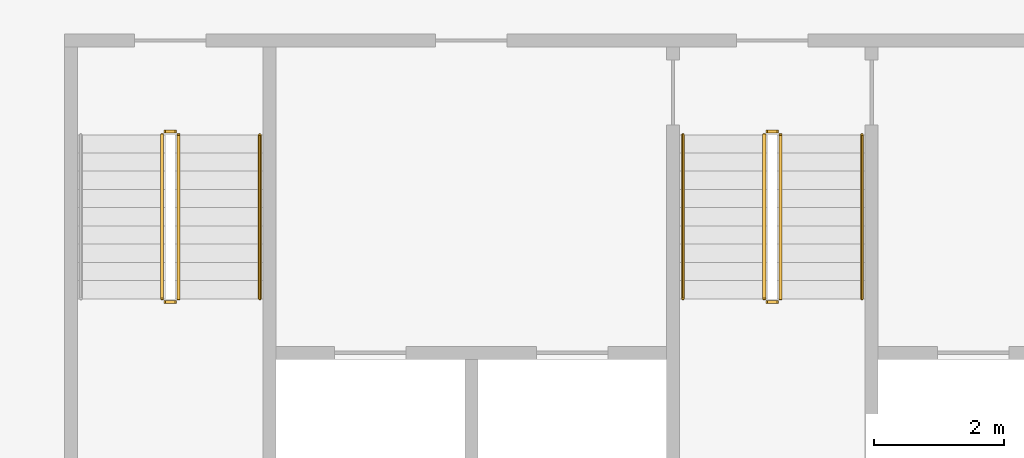
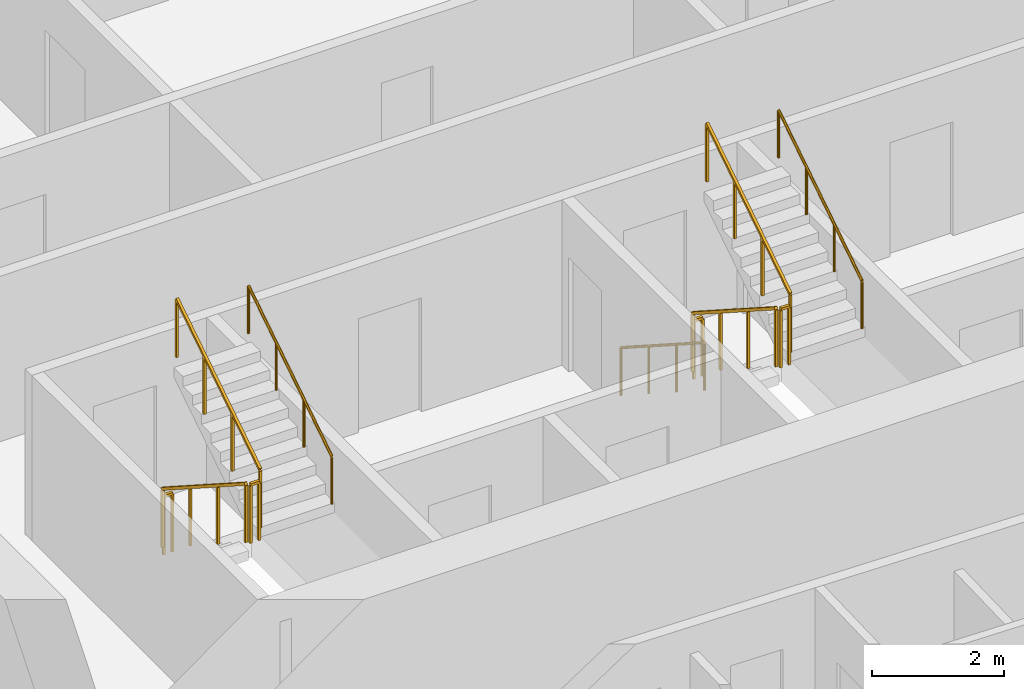
# One storey, part 14 of 16: 11 railings.
"""IFC4 building model written with IfcOpenShell, lengths in metres."""

from ifc_helpers import new_model, si_unit, direction, frame, origin, origin_2d, place, context, subcontext, project, spatial, rectangle, circle, extrude, material, type_object, element, save


model = new_model("IFC4")

# Units and contexts
model_context = context("Model", 3, precision=1e-05, world=origin(), true_north=direction((0.0, 1.0)))
body_context = subcontext(model_context, "Body", "Model", "MODEL_VIEW")
ifc_project = project(units=[si_unit("LENGTHUNIT", "METRE"), si_unit("AREAUNIT", "SQUARE_METRE"), si_unit("VOLUMEUNIT", "CUBIC_METRE"), si_unit("PLANEANGLEUNIT", "RADIAN"), si_unit("MASSUNIT", "GRAM", prefix="KILO")], contexts=[model_context])

# Site, building, storey
site_placement = place(None, origin())
site = spatial("IfcSite", under=ifc_project, at=site_placement, CompositionType="ELEMENT")
building_placement = place(site_placement, origin())
building = spatial("IfcBuilding", under=site, at=building_placement, Name="Mangrove Gate Tower", CompositionType="ELEMENT")
storey_placement = place(building_placement, frame((0.0, 0.0, 212.300048828125)))
storey = spatial("IfcBuildingStorey", under=building, at=storey_placement, Name="L54", CompositionType="ELEMENT", Elevation=212.300048828125)

# Railings
ifc_material_1 = material(Name="Stainless steel 316", Category="steel")
railing_type_1 = type_object("IfcRailingType", Name="Core stair guard 1100", PredefinedType="GUARDRAIL", material=ifc_material_1)
railing_1_placement = place(storey_placement, frame((-9.39990234375, -4.64990234375, 0.179931640625)))
element("IfcRailing", 1, at=railing_1_placement, inside=storey, type_object=railing_type_1, Name="L54 ST1 stair guard 1", PredefinedType="GUARDRAIL", context=body_context, shape_type="SweptSolid", body=[
    extrude(rectangle(XDim=0.048095703125, YDim=0.048095703125, at=origin_2d()), frame((0.0, 0.0, 1.076171875), z_axis=(0.0, -0.841162588446, 0.540782303519), x_axis=(1.0, 0.0, 0.0)), (0.0, 0.0, 1.0), 2.995849609375),
    extrude(rectangle(XDim=0.0419921875, YDim=0.0419921875, at=origin_2d()), origin(), (0.0, 0.0, 1.0), 1.052001953125),
    extrude(rectangle(XDim=0.0419921875, YDim=0.0419921875, at=origin_2d()), frame((0.0, -0.840087890625, 0.5400390625)), (0.0, 0.0, 1.0), 1.052001953125),
    extrude(rectangle(XDim=0.0419921875, YDim=0.0419921875, at=origin_2d()), frame((0.0, -1.679931640625, 1.080078125)), (0.0, 0.0, 1.0), 1.052001953125),
    extrude(rectangle(XDim=0.0419921875, YDim=0.0419921875, at=origin_2d()), frame((0.0, -2.52001953125, 1.6201171875)), (0.0, 0.0, 1.0), 1.052001953125),
])
railing_2_placement = place(storey_placement, frame((-9.35009765625, -7.219970703125, 1.800048828125)))
element("IfcRailing", 2, at=railing_2_placement, inside=storey, type_object=railing_type_1, Name="L54 ST1 stair guard 2", PredefinedType="GUARDRAIL", context=body_context, shape_type="SweptSolid", body=[
    extrude(rectangle(XDim=0.048095703125, YDim=0.048095703125, at=origin_2d()), frame((0.0, 0.0, 1.076171875), z_axis=(1.0, 0.0, 0.0), x_axis=(0.0, 1.0, 0.0)), (0.0, 0.0, 1.0), 0.150146484375),
    extrude(rectangle(XDim=0.0419921875, YDim=0.0419921875, at=origin_2d()), origin(), (0.0, 0.0, 1.0), 1.052001953125),
    extrude(rectangle(XDim=0.0419921875, YDim=0.0419921875, at=origin_2d()), frame((0.150146484375, 0.0, 0.0)), (0.0, 0.0, 1.0), 1.052001953125),
])
railing_3_placement = place(storey_placement, frame((-9.14990234375, -7.169921875, 1.97998046875)))
element("IfcRailing", 3, at=railing_3_placement, inside=storey, type_object=railing_type_1, Name="L54 ST1 stair guard 3", PredefinedType="GUARDRAIL", context=body_context, shape_type="SweptSolid", body=[
    extrude(rectangle(XDim=0.048095703125, YDim=0.048095703125, at=origin_2d()), frame((0.0, 0.0, 1.076171875), z_axis=(0.0, 0.841199657755, 0.540724639528), x_axis=(-1.0, 0.0, 0.0)), (0.0, 0.0, 1.0), 2.995849609375),
    extrude(rectangle(XDim=0.0419921875, YDim=0.0419921875, at=origin_2d()), origin(), (0.0, 0.0, 1.0), 1.052001953125),
    extrude(rectangle(XDim=0.0419921875, YDim=0.0419921875, at=origin_2d()), frame((0.0, 0.840087890625, 0.5400390625)), (0.0, 0.0, 1.0), 1.052001953125),
    extrude(rectangle(XDim=0.0419921875, YDim=0.0419921875, at=origin_2d()), frame((0.0, 1.679931640625, 1.079833984375)), (0.0, 0.0, 1.0), 1.052001953125),
    extrude(rectangle(XDim=0.0419921875, YDim=0.0419921875, at=origin_2d()), frame((0.0, 2.52001953125, 1.619873046875)), (0.0, 0.0, 1.0), 1.052001953125),
])
railing_4_placement = place(storey_placement, frame((-9.35009765625, -4.60009765625, 0.0)))
element("IfcRailing", 4, at=railing_4_placement, inside=storey, type_object=railing_type_1, Name="L54 ST1 stair guard 4", PredefinedType="GUARDRAIL", context=body_context, shape_type="SweptSolid", body=[
    extrude(rectangle(XDim=0.048095703125, YDim=0.048095703125, at=origin_2d()), frame((0.0, 0.0, 1.076171875), z_axis=(1.0, 0.0, 0.0), x_axis=(0.0, 1.0, 0.0)), (0.0, 0.0, 1.0), 0.150146484375),
    extrude(rectangle(XDim=0.0419921875, YDim=0.0419921875, at=origin_2d()), origin(), (0.0, 0.0, 1.0), 1.052001953125),
    extrude(rectangle(XDim=0.0419921875, YDim=0.0419921875, at=origin_2d()), frame((0.150146484375, 0.0, 0.0)), (0.0, 0.0, 1.0), 1.052001953125),
])
railing_5_placement = place(storey_placement, frame((-0.14990234375, -4.64990234375, 0.179931640625)))
element("IfcRailing", 5, at=railing_5_placement, inside=storey, type_object=railing_type_1, Name="L54 ST2 stair guard 1", PredefinedType="GUARDRAIL", context=body_context, shape_type="SweptSolid", body=[
    extrude(rectangle(XDim=0.048095703125, YDim=0.048095703125, at=origin_2d()), frame((0.0, 0.0, 1.076171875), z_axis=(0.0, -0.841162588446, 0.540782303519), x_axis=(1.0, 0.0, 0.0)), (0.0, 0.0, 1.0), 2.995849609375),
    extrude(rectangle(XDim=0.0419921875, YDim=0.0419921875, at=origin_2d()), origin(), (0.0, 0.0, 1.0), 1.052001953125),
    extrude(rectangle(XDim=0.0419921875, YDim=0.0419921875, at=origin_2d()), frame((0.0, -0.840087890625, 0.5400390625)), (0.0, 0.0, 1.0), 1.052001953125),
    extrude(rectangle(XDim=0.0419921875, YDim=0.0419921875, at=origin_2d()), frame((0.0, -1.679931640625, 1.080078125)), (0.0, 0.0, 1.0), 1.052001953125),
    extrude(rectangle(XDim=0.0419921875, YDim=0.0419921875, at=origin_2d()), frame((0.0, -2.52001953125, 1.6201171875)), (0.0, 0.0, 1.0), 1.052001953125),
])
railing_6_placement = place(storey_placement, frame((-0.10009765625, -7.219970703125, 1.800048828125)))
element("IfcRailing", 6, at=railing_6_placement, inside=storey, type_object=railing_type_1, Name="L54 ST2 stair guard 2", PredefinedType="GUARDRAIL", context=body_context, shape_type="SweptSolid", body=[
    extrude(rectangle(XDim=0.048095703125, YDim=0.048095703125, at=origin_2d()), frame((0.0, 0.0, 1.076171875), z_axis=(1.0, 0.0, 0.0), x_axis=(0.0, 1.0, 0.0)), (0.0, 0.0, 1.0), 0.150146484375),
    extrude(rectangle(XDim=0.0419921875, YDim=0.0419921875, at=origin_2d()), origin(), (0.0, 0.0, 1.0), 1.052001953125),
    extrude(rectangle(XDim=0.0419921875, YDim=0.0419921875, at=origin_2d()), frame((0.150146484375, 0.0, 0.0)), (0.0, 0.0, 1.0), 1.052001953125),
])
railing_7_placement = place(storey_placement, frame((0.10009765625, -7.169921875, 1.97998046875)))
element("IfcRailing", 7, at=railing_7_placement, inside=storey, type_object=railing_type_1, Name="L54 ST2 stair guard 3", PredefinedType="GUARDRAIL", context=body_context, shape_type="SweptSolid", body=[
    extrude(rectangle(XDim=0.048095703125, YDim=0.048095703125, at=origin_2d()), frame((0.0, 0.0, 1.076171875), z_axis=(0.0, 0.841199657755, 0.540724639528), x_axis=(-1.0, 0.0, 0.0)), (0.0, 0.0, 1.0), 2.995849609375),
    extrude(rectangle(XDim=0.0419921875, YDim=0.0419921875, at=origin_2d()), origin(), (0.0, 0.0, 1.0), 1.052001953125),
    extrude(rectangle(XDim=0.0419921875, YDim=0.0419921875, at=origin_2d()), frame((0.0, 0.840087890625, 0.5400390625)), (0.0, 0.0, 1.0), 1.052001953125),
    extrude(rectangle(XDim=0.0419921875, YDim=0.0419921875, at=origin_2d()), frame((0.0, 1.679931640625, 1.079833984375)), (0.0, 0.0, 1.0), 1.052001953125),
    extrude(rectangle(XDim=0.0419921875, YDim=0.0419921875, at=origin_2d()), frame((0.0, 2.52001953125, 1.619873046875)), (0.0, 0.0, 1.0), 1.052001953125),
])
railing_8_placement = place(storey_placement, frame((-0.10009765625, -4.60009765625, 0.0)))
element("IfcRailing", 8, at=railing_8_placement, inside=storey, type_object=railing_type_1, Name="L54 ST2 stair guard 4", PredefinedType="GUARDRAIL", context=body_context, shape_type="SweptSolid", body=[
    extrude(rectangle(XDim=0.048095703125, YDim=0.048095703125, at=origin_2d()), frame((0.0, 0.0, 1.076171875), z_axis=(1.0, 0.0, 0.0), x_axis=(0.0, 1.0, 0.0)), (0.0, 0.0, 1.0), 0.150146484375),
    extrude(rectangle(XDim=0.0419921875, YDim=0.0419921875, at=origin_2d()), origin(), (0.0, 0.0, 1.0), 1.052001953125),
    extrude(rectangle(XDim=0.0419921875, YDim=0.0419921875, at=origin_2d()), frame((0.150146484375, 0.0, 0.0)), (0.0, 0.0, 1.0), 1.052001953125),
])
ifc_material_2 = material(Name="Stainless steel 316", Category="steel")
railing_type_2 = type_object("IfcRailingType", Name="Core stair handrail 900", PredefinedType="HANDRAIL", material=ifc_material_2)
railing_9_placement = place(storey_placement, frame((-7.89990234375, -7.169921875, 1.97998046875)))
element("IfcRailing", 9, at=railing_9_placement, inside=storey, type_object=railing_type_2, Name="L54 ST1 stair handrail 2", PredefinedType="HANDRAIL", context=body_context, shape_type="SweptSolid", body=[
    extrude(circle(Radius=0.02392578125, at=origin_2d()), frame((0.0, 0.0, 0.8759765625), z_axis=(0.0, 0.841199657755, 0.540724639528), x_axis=(-1.0, 0.0, 0.0)), (0.0, 0.0, 1.0), 2.995849609375),
    extrude(circle(Radius=0.02099609375, at=origin_2d()), origin(), (0.0, 0.0, 1.0), 0.851806640625),
    extrude(circle(Radius=0.02099609375, at=origin_2d()), frame((0.0, 0.840087890625, 0.5400390625)), (0.0, 0.0, 1.0), 0.851806640625),
    extrude(circle(Radius=0.02099609375, at=origin_2d()), frame((0.0, 1.679931640625, 1.079833984375)), (0.0, 0.0, 1.0), 0.851806640625),
    extrude(circle(Radius=0.02099609375, at=origin_2d()), frame((0.0, 2.52001953125, 1.619873046875)), (0.0, 0.0, 1.0), 0.851806640625),
])
railing_10_placement = place(storey_placement, frame((-1.39990234375, -4.64990234375, 0.179931640625)))
element("IfcRailing", 10, at=railing_10_placement, inside=storey, type_object=railing_type_2, Name="L54 ST2 stair handrail 1", PredefinedType="HANDRAIL", context=body_context, shape_type="SweptSolid", body=[
    extrude(circle(Radius=0.02392578125, at=origin_2d()), frame((0.0, 0.0, 0.8759765625), z_axis=(0.0, -0.841162588446, 0.540782303519), x_axis=(1.0, 0.0, 0.0)), (0.0, 0.0, 1.0), 2.995849609375),
    extrude(circle(Radius=0.02099609375, at=origin_2d()), origin(), (0.0, 0.0, 1.0), 0.851806640625),
    extrude(circle(Radius=0.02099609375, at=origin_2d()), frame((0.0, -0.840087890625, 0.5400390625)), (0.0, 0.0, 1.0), 0.851806640625),
    extrude(circle(Radius=0.02099609375, at=origin_2d()), frame((0.0, -1.679931640625, 1.080078125)), (0.0, 0.0, 1.0), 0.851806640625),
    extrude(circle(Radius=0.02099609375, at=origin_2d()), frame((0.0, -2.52001953125, 1.6201171875)), (0.0, 0.0, 1.0), 0.851806640625),
])
railing_11_placement = place(storey_placement, frame((1.35009765625, -7.169921875, 1.97998046875)))
element("IfcRailing", 11, at=railing_11_placement, inside=storey, type_object=railing_type_2, Name="L54 ST2 stair handrail 2", PredefinedType="HANDRAIL", context=body_context, shape_type="SweptSolid", body=[
    extrude(circle(Radius=0.02392578125, at=origin_2d()), frame((0.0, 0.0, 0.8759765625), z_axis=(0.0, 0.841199657755, 0.540724639528), x_axis=(-1.0, 0.0, 0.0)), (0.0, 0.0, 1.0), 2.995849609375),
    extrude(circle(Radius=0.02099609375, at=origin_2d()), origin(), (0.0, 0.0, 1.0), 0.851806640625),
    extrude(circle(Radius=0.02099609375, at=origin_2d()), frame((0.0, 0.840087890625, 0.5400390625)), (0.0, 0.0, 1.0), 0.851806640625),
    extrude(circle(Radius=0.02099609375, at=origin_2d()), frame((0.0, 1.679931640625, 1.079833984375)), (0.0, 0.0, 1.0), 0.851806640625),
    extrude(circle(Radius=0.02099609375, at=origin_2d()), frame((0.0, 2.52001953125, 1.619873046875)), (0.0, 0.0, 1.0), 0.851806640625),
])

save(model, "model.ifc")
